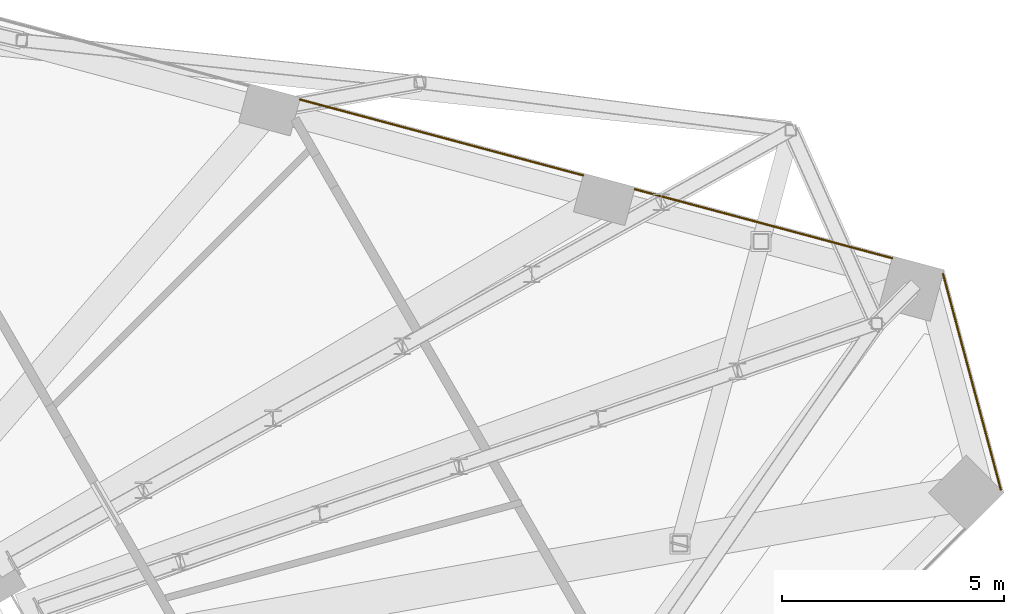
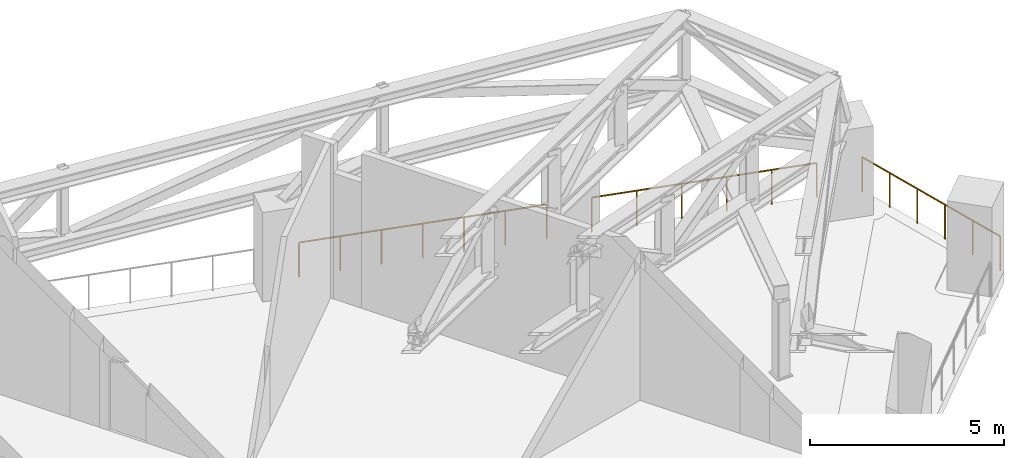
# One storey, part 22 of 22: 3 railings.
"""IFC4 building model written with IfcOpenShell, lengths in metres."""

from ifc_helpers import new_model, si_unit, direction, frame, origin, origin_2d, place, context, subcontext, project, spatial, circle, extrude, material, type_object, element, save


model = new_model("IFC4")

# Units and contexts
model_context = context("Model", 3, precision=1e-05, world=origin(), true_north=direction((0.0, 1.0)))
body_context = subcontext(model_context, "Body", "Model", "MODEL_VIEW")
ifc_project = project(units=[si_unit("LENGTHUNIT", "METRE"), si_unit("AREAUNIT", "SQUARE_METRE"), si_unit("VOLUMEUNIT", "CUBIC_METRE"), si_unit("PLANEANGLEUNIT", "RADIAN"), si_unit("MASSUNIT", "GRAM", prefix="KILO")], contexts=[model_context])

# Site, building, storey
site_placement = place(None, origin())
site = spatial("IfcSite", under=ifc_project, at=site_placement, CompositionType="ELEMENT")
building_placement = place(site_placement, origin())
building = spatial("IfcBuilding", under=site, at=building_placement, Name="Tramontana Tower", CompositionType="ELEMENT")
storey_placement = place(building_placement, frame((0.0, 0.0, 232.0)))
storey = spatial("IfcBuildingStorey", under=building, at=storey_placement, Name="L54", CompositionType="ELEMENT", Elevation=232.0)

# Railings
ifc_material = material(Name="Stainless steel rail and posts", Category="steel")
railing_type = type_object("IfcRailingType", Name="GD2 Terrace guard 1100", PredefinedType="GUARDRAIL", material=ifc_material)
railing_1_placement = place(storey_placement, frame((18.7353515625, 12.01025390625, 0.0)))
element("IfcRailing", 1, at=railing_1_placement, inside=storey, type_object=railing_type, Name="Edge guard L54 17", PredefinedType="GUARDRAIL", context=body_context, shape_type="SweptSolid", body=[
    extrude(circle(Radius=0.02392578125, at=origin_2d()), frame((0.0, 0.0, 1.076171875), z_axis=(-0.965933178973, 0.258791602952, 0.0), x_axis=(-0.258791602952, -0.965933178973, 0.0)), (0.0, 0.0, 1.0), 6.59423828125),
    extrude(circle(Radius=0.02099609375, at=origin_2d()), origin(), (0.0, 0.0, 1.0), 1.052001953125),
    extrude(circle(Radius=0.02099609375, at=origin_2d()), frame((-1.0615234375, 0.284423828125, 0.0)), (0.0, 0.0, 1.0), 1.052001953125),
    extrude(circle(Radius=0.02099609375, at=origin_2d()), frame((-2.123291015625, 0.56884765625, 0.0)), (0.0, 0.0, 1.0), 1.052001953125),
    extrude(circle(Radius=0.02099609375, at=origin_2d()), frame((-3.184814453125, 0.853271484375, 0.0)), (0.0, 0.0, 1.0), 1.052001953125),
    extrude(circle(Radius=0.02099609375, at=origin_2d()), frame((-4.246337890625, 1.1376953125, 0.0)), (0.0, 0.0, 1.0), 1.052001953125),
    extrude(circle(Radius=0.02099609375, at=origin_2d()), frame((-5.30810546875, 1.422119140625, 0.0)), (0.0, 0.0, 1.0), 1.052001953125),
    extrude(circle(Radius=0.02099609375, at=origin_2d()), frame((-6.36962890625, 1.70654296875, 0.0)), (0.0, 0.0, 1.0), 1.052001953125),
])
railing_2_placement = place(storey_placement, frame((25.684326171875, 10.148193359375, 0.0)))
element("IfcRailing", 2, at=railing_2_placement, inside=storey, type_object=railing_type, Name="Edge guard L54 19", PredefinedType="GUARDRAIL", context=body_context, shape_type="SweptSolid", body=[
    extrude(circle(Radius=0.02392578125, at=origin_2d()), frame((0.0, 0.0, 1.076171875), z_axis=(-0.965919870225, 0.258841272413, 0.0), x_axis=(-0.258841272413, -0.965919870225, 0.0)), (0.0, 0.0, 1.0), 5.994140625),
    extrude(circle(Radius=0.02099609375, at=origin_2d()), origin(), (0.0, 0.0, 1.0), 1.052001953125),
    extrude(circle(Radius=0.02099609375, at=origin_2d()), frame((-1.157958984375, 0.310302734375, 0.0)), (0.0, 0.0, 1.0), 1.052001953125),
    extrude(circle(Radius=0.02099609375, at=origin_2d()), frame((-2.31591796875, 0.62060546875, 0.0)), (0.0, 0.0, 1.0), 1.052001953125),
    extrude(circle(Radius=0.02099609375, at=origin_2d()), frame((-3.473876953125, 0.930908203125, 0.0)), (0.0, 0.0, 1.0), 1.052001953125),
    extrude(circle(Radius=0.02099609375, at=origin_2d()), frame((-4.6318359375, 1.2412109375, 0.0)), (0.0, 0.0, 1.0), 1.052001953125),
    extrude(circle(Radius=0.02099609375, at=origin_2d()), frame((-5.789794921875, 1.551513671875, 0.0)), (0.0, 0.0, 1.0), 1.052001953125),
])
railing_3_placement = place(storey_placement, frame((28.130615234375, 4.9375, 0.0)))
element("IfcRailing", 3, at=railing_3_placement, inside=storey, type_object=railing_type, Name="Edge guard L54 21", PredefinedType="GUARDRAIL", context=body_context, shape_type="SweptSolid", body=[
    extrude(circle(Radius=0.02392578125, at=origin_2d()), frame((0.0, 0.0, 1.076171875), z_axis=(-0.258821117497, 0.96592527099, 0.0), x_axis=(-0.96592527099, -0.258821117497, 0.0)), (0.0, 0.0, 1.0), 5.02294921875),
    extrude(circle(Radius=0.02099609375, at=origin_2d()), origin(), (0.0, 0.0, 1.0), 1.052001953125),
    extrude(circle(Radius=0.02099609375, at=origin_2d()), frame((-0.260009765625, 0.970458984375, 0.0)), (0.0, 0.0, 1.0), 1.052001953125),
    extrude(circle(Radius=0.02099609375, at=origin_2d()), frame((-0.52001953125, 1.940673828125, 0.0)), (0.0, 0.0, 1.0), 1.052001953125),
    extrude(circle(Radius=0.02099609375, at=origin_2d()), frame((-0.780029296875, 2.9111328125, 0.0)), (0.0, 0.0, 1.0), 1.052001953125),
    extrude(circle(Radius=0.02099609375, at=origin_2d()), frame((-1.0400390625, 3.88134765625, 0.0)), (0.0, 0.0, 1.0), 1.052001953125),
    extrude(circle(Radius=0.02099609375, at=origin_2d()), frame((-1.300048828125, 4.851806640625, 0.0)), (0.0, 0.0, 1.0), 1.052001953125),
])

save(model, "model.ifc")
